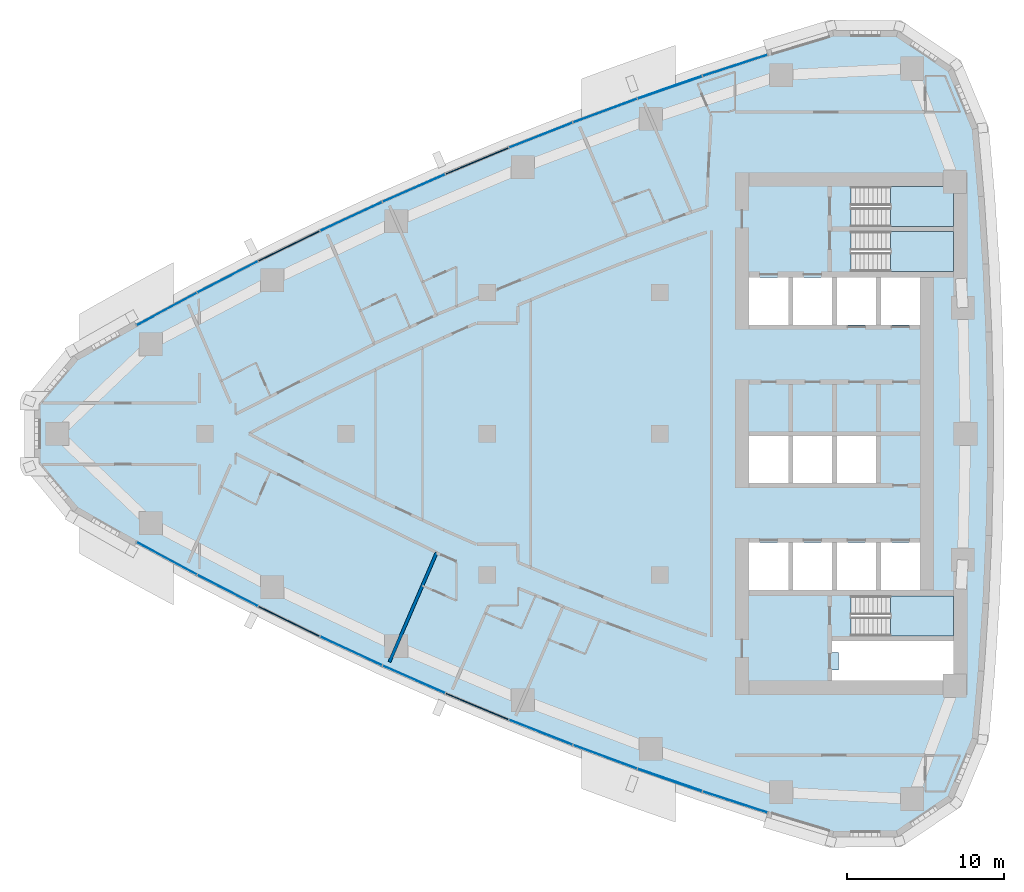
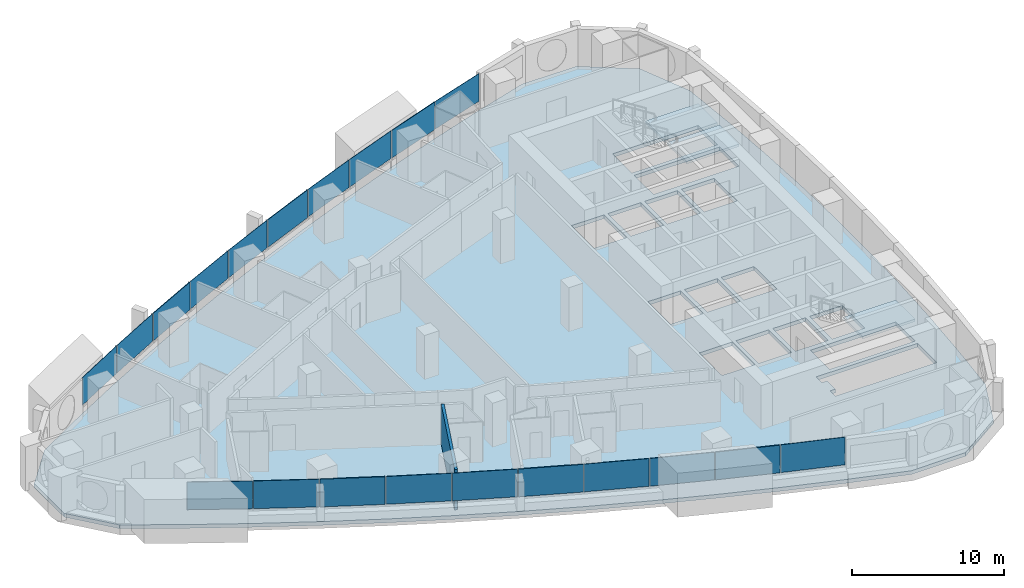
# One storey, part 7 of 16: 20 plates, 4 slabs, 1 wall, 1 opening, 13 elements without a shape of their own.
"""IFC4 building model written with IfcOpenShell, lengths in metres."""

from ifc_helpers import new_model, si_unit, direction, frame, frame_2d, origin, origin_2d, place, context, subcontext, project, spatial, polyline, rectangle, outline, extrude, material, layer, layer_set, type_object, element, aggregate, save


model = new_model("IFC4")

# Units and contexts
model_context = context("Model", 3, precision=1e-05, world=origin(), true_north=direction((0.0, 1.0)))
body_context = subcontext(model_context, "Body", "Model", "MODEL_VIEW")
ifc_project = project(units=[si_unit("LENGTHUNIT", "METRE"), si_unit("AREAUNIT", "SQUARE_METRE"), si_unit("VOLUMEUNIT", "CUBIC_METRE"), si_unit("PLANEANGLEUNIT", "RADIAN"), si_unit("MASSUNIT", "GRAM", prefix="KILO")], contexts=[model_context])

# Site, building, storey
site_placement = place(None, origin())
site = spatial("IfcSite", under=ifc_project, at=site_placement, CompositionType="ELEMENT")
building_placement = place(site_placement, origin())
building = spatial("IfcBuilding", under=site, at=building_placement, Name="Ostrand Prow Hotel Tower", CompositionType="ELEMENT")
storey_placement = place(building_placement, frame((0.0, 0.0, 147.949951171875)))
storey = spatial("IfcBuildingStorey", under=building, at=storey_placement, Name="L36", CompositionType="ELEMENT", Elevation=147.949951171875)

# Curtain wall, plates
ifc_material_1 = material(Name="Insulated glass in bronze anodised frame", Category="glass")
ifc_layer_1 = layer(ifc_material_1, 0.199951171875)
ifc_layer_set_1 = layer_set([ifc_layer_1], Name="Insulated glass in bronze anodised frame")
curtain_wall_type = type_object("IfcCurtainWallType", Name="Strip curtain wall, fritted glass over bronze spandrel", PredefinedType="NOTDEFINED", material=ifc_layer_set_1)
curtain_wall_1_placement = place(storey_placement, origin())
curtain_wall_1 = element("IfcCurtainWall", 1, at=curtain_wall_1_placement, inside=storey, type_object=curtain_wall_type, Name="CW1 run CWS1", PredefinedType="NOTDEFINED")
ifc_material_2 = material(Name="Ceramic-fritted glass", Category="glass")
ifc_layer_2 = layer(ifc_material_2, 0.031982421875)
ifc_layer_set_2 = layer_set([ifc_layer_2], Name="Ceramic-fritted glass")
plate_type_1 = type_object("IfcPlateType", Name="Dot-fritted ceramic glass unit 32 mm", PredefinedType="CURTAIN_PANEL", material=ifc_layer_set_2)
plate_1_placement = place(storey_placement, frame((13.572509765625, -7.951904296875, 1.02001953125), z_axis=(0.0, 0.0, 1.0), x_axis=(0.879773060847, -0.475393901316, 0.0)))
plate_1 = element("IfcPlate", 2, at=plate_1_placement, type_object=plate_type_1, Name="CW1 PN-D panel 1.2", PredefinedType="CURTAIN_PANEL", context=body_context, shape_type="SweptSolid", body=[
    extrude(rectangle(XDim=4.326171875, YDim=0.031982421875, at=origin_2d()), origin(), (0.0, 0.0, 1.0), 2.22998046875),
])
plate_2_placement = place(storey_placement, frame((17.45166015625, -9.998046875, 1.02001953125), z_axis=(0.0, 0.0, 1.0), x_axis=(0.889148164146, -0.457619429434, 0.0)))
plate_2 = element("IfcPlate", 3, at=plate_2_placement, type_object=plate_type_1, Name="CW1 PN-D panel 2.2", PredefinedType="CURTAIN_PANEL", context=body_context, shape_type="SweptSolid", body=[
    extrude(rectangle(XDim=4.326171875, YDim=0.031982421875, at=origin_2d()), origin(), (0.0, 0.0, 1.0), 2.22998046875),
])
aggregate(curtain_wall_1, [plate_1, plate_2])

# Curtain wall, plate
curtain_wall_2_placement = place(storey_placement, origin())
curtain_wall_2 = element("IfcCurtainWall", 4, at=curtain_wall_2_placement, inside=storey, type_object=curtain_wall_type, Name="CW1 run CWS2", PredefinedType="NOTDEFINED")
plate_3_placement = place(storey_placement, frame((25.329833984375, -13.8544921875, 1.02001953125), z_axis=(0.0, 0.0, 1.0), x_axis=(0.906818286337, -0.421521761673, 0.0)))
plate_3 = element("IfcPlate", 5, at=plate_3_placement, type_object=plate_type_1, Name="CW1 PN-D panel 2.2", PredefinedType="CURTAIN_PANEL", context=body_context, shape_type="SweptSolid", body=[
    extrude(rectangle(XDim=4.326171875, YDim=0.031982421875, at=origin_2d()), origin(), (0.0, 0.0, 1.0), 2.22998046875),
])

curtain_wall_3_placement = place(storey_placement, origin())
curtain_wall_3 = element("IfcCurtainWall", 6, at=curtain_wall_3_placement, inside=storey, type_object=curtain_wall_type, Name="CW1 run CWS3", PredefinedType="NOTDEFINED")
plate_4_placement = place(storey_placement, frame((29.3251953125, -15.6630859375, 1.02001953125), z_axis=(0.0, 0.0, 1.0), x_axis=(0.915106105993, -0.403213113347, 0.0)))
plate_4 = element("IfcPlate", 7, at=plate_4_placement, type_object=plate_type_1, Name="CW1 PN-D panel 1.2", PredefinedType="CURTAIN_PANEL", context=body_context, shape_type="SweptSolid", body=[
    extrude(rectangle(XDim=4.326171875, YDim=0.031982421875, at=origin_2d()), origin(), (0.0, 0.0, 1.0), 2.22998046875),
])

# Curtain wall, plates
curtain_wall_4_placement = place(storey_placement, origin())
curtain_wall_4 = element("IfcCurtainWall", 8, at=curtain_wall_4_placement, inside=storey, type_object=curtain_wall_type, Name="CW1 run CWS4", PredefinedType="NOTDEFINED")
plate_5_placement = place(storey_placement, frame((37.42138671875, -19.037841796875, 1.02001953125), z_axis=(0.0, 0.0, 1.0), x_axis=(0.930569089059, -0.366116334636, 0.0)))
plate_5 = element("IfcPlate", 9, at=plate_5_placement, type_object=plate_type_1, Name="CW1 PN-D panel 1.2", PredefinedType="CURTAIN_PANEL", context=body_context, shape_type="SweptSolid", body=[
    extrude(rectangle(XDim=4.326171875, YDim=0.031982421875, at=origin_2d()), origin(), (0.0, 0.0, 1.0), 2.22998046875),
])
plate_6_placement = place(storey_placement, frame((41.518798828125, -20.6025390625, 1.02001953125), z_axis=(0.0, 0.0, 1.0), x_axis=(0.937738678558, -0.347341576459, 0.0)))
plate_6 = element("IfcPlate", 10, at=plate_6_placement, type_object=plate_type_1, Name="CW1 PN-D panel 2.2", PredefinedType="CURTAIN_PANEL", context=body_context, shape_type="SweptSolid", body=[
    extrude(rectangle(XDim=4.326171875, YDim=0.031982421875, at=origin_2d()), origin(), (0.0, 0.0, 1.0), 2.22998046875),
])
aggregate(curtain_wall_4, [plate_5, plate_6])

# Curtain wall, plate
curtain_wall_5_placement = place(storey_placement, origin())
curtain_wall_5 = element("IfcCurtainWall", 11, at=curtain_wall_5_placement, inside=storey, type_object=curtain_wall_type, Name="CW1 run CWS5", PredefinedType="NOTDEFINED")
plate_7_placement = place(storey_placement, frame((49.803466796875, -23.483154296875, 1.02001953125), z_axis=(0.0, 0.0, 1.0), x_axis=(0.950938332153, -0.309380491373, 0.0)))
plate_7 = element("IfcPlate", 12, at=plate_7_placement, type_object=plate_type_1, Name="CW1 PN-D panel 2.2", PredefinedType="CURTAIN_PANEL", context=body_context, shape_type="SweptSolid", body=[
    extrude(rectangle(XDim=4.326171875, YDim=0.031982421875, at=origin_2d()), origin(), (0.0, 0.0, 1.0), 2.22998046875),
])

curtain_wall_6_placement = place(storey_placement, origin())
curtain_wall_6 = element("IfcCurtainWall", 13, at=curtain_wall_6_placement, inside=storey, type_object=curtain_wall_type, Name="CW1 run CWN1", PredefinedType="NOTDEFINED")
plate_8_placement = place(storey_placement, frame((49.803466796875, 23.483154296875, 1.02001953125), z_axis=(0.0, 0.0, 1.0), x_axis=(-0.950938332153, -0.309380491373, 0.0)))
plate_8 = element("IfcPlate", 14, at=plate_8_placement, type_object=plate_type_1, Name="CW1 PN-D panel 1.2", PredefinedType="CURTAIN_PANEL", context=body_context, shape_type="SweptSolid", body=[
    extrude(rectangle(XDim=4.326171875, YDim=0.031982421875, at=origin_2d()), origin(), (0.0, 0.0, 1.0), 2.22998046875),
])

# Curtain wall, plates
curtain_wall_7_placement = place(storey_placement, origin())
curtain_wall_7 = element("IfcCurtainWall", 15, at=curtain_wall_7_placement, inside=storey, type_object=curtain_wall_type, Name="CW1 run CWN2", PredefinedType="NOTDEFINED")
plate_9_placement = place(storey_placement, frame((41.518798828125, 20.6025390625, 1.02001953125), z_axis=(0.0, 0.0, 1.0), x_axis=(-0.937738678558, -0.347341576459, 0.0)))
plate_9 = element("IfcPlate", 16, at=plate_9_placement, type_object=plate_type_1, Name="CW1 PN-D panel 1.2", PredefinedType="CURTAIN_PANEL", context=body_context, shape_type="SweptSolid", body=[
    extrude(rectangle(XDim=4.326171875, YDim=0.031982421875, at=origin_2d()), origin(), (0.0, 0.0, 1.0), 2.22998046875),
])
plate_10_placement = place(storey_placement, frame((37.42138671875, 19.037841796875, 1.02001953125), z_axis=(0.0, 0.0, 1.0), x_axis=(-0.930569089059, -0.366116334636, 0.0)))
plate_10 = element("IfcPlate", 17, at=plate_10_placement, type_object=plate_type_1, Name="CW1 PN-D panel 2.2", PredefinedType="CURTAIN_PANEL", context=body_context, shape_type="SweptSolid", body=[
    extrude(rectangle(XDim=4.326171875, YDim=0.031982421875, at=origin_2d()), origin(), (0.0, 0.0, 1.0), 2.22998046875),
])
aggregate(curtain_wall_7, [plate_9, plate_10])

# Curtain wall, plate
curtain_wall_8_placement = place(storey_placement, origin())
curtain_wall_8 = element("IfcCurtainWall", 18, at=curtain_wall_8_placement, inside=storey, type_object=curtain_wall_type, Name="CW1 run CWN3", PredefinedType="NOTDEFINED")
plate_11_placement = place(storey_placement, frame((29.3251953125, 15.6630859375, 1.02001953125), z_axis=(0.0, 0.0, 1.0), x_axis=(-0.915106105993, -0.403213113347, 0.0)))
plate_11 = element("IfcPlate", 19, at=plate_11_placement, type_object=plate_type_1, Name="CW1 PN-D panel 2.2", PredefinedType="CURTAIN_PANEL", context=body_context, shape_type="SweptSolid", body=[
    extrude(rectangle(XDim=4.326171875, YDim=0.031982421875, at=origin_2d()), origin(), (0.0, 0.0, 1.0), 2.22998046875),
])

curtain_wall_9_placement = place(storey_placement, origin())
curtain_wall_9 = element("IfcCurtainWall", 20, at=curtain_wall_9_placement, inside=storey, type_object=curtain_wall_type, Name="CW1 run CWN4", PredefinedType="NOTDEFINED")
plate_12_placement = place(storey_placement, frame((25.329833984375, 13.8544921875, 1.02001953125), z_axis=(0.0, 0.0, 1.0), x_axis=(-0.906818286337, -0.421521761673, 0.0)))
plate_12 = element("IfcPlate", 21, at=plate_12_placement, type_object=plate_type_1, Name="CW1 PN-D panel 1.2", PredefinedType="CURTAIN_PANEL", context=body_context, shape_type="SweptSolid", body=[
    extrude(rectangle(XDim=4.326171875, YDim=0.031982421875, at=origin_2d()), origin(), (0.0, 0.0, 1.0), 2.22998046875),
])

# Curtain wall, plates
curtain_wall_10_placement = place(storey_placement, origin())
curtain_wall_10 = element("IfcCurtainWall", 22, at=curtain_wall_10_placement, inside=storey, type_object=curtain_wall_type, Name="CW1 run CWN5", PredefinedType="NOTDEFINED")
plate_13_placement = place(storey_placement, frame((17.45166015625, 9.998046875, 1.02001953125), z_axis=(0.0, 0.0, 1.0), x_axis=(-0.889148164146, -0.457619429434, 0.0)))
plate_13 = element("IfcPlate", 23, at=plate_13_placement, type_object=plate_type_1, Name="CW1 PN-D panel 1.2", PredefinedType="CURTAIN_PANEL", context=body_context, shape_type="SweptSolid", body=[
    extrude(rectangle(XDim=4.326171875, YDim=0.031982421875, at=origin_2d()), origin(), (0.0, 0.0, 1.0), 2.22998046875),
])
plate_14_placement = place(storey_placement, frame((13.572509765625, 7.951904296875, 1.02001953125), z_axis=(0.0, 0.0, 1.0), x_axis=(-0.879773060847, -0.475393901316, 0.0)))
plate_14 = element("IfcPlate", 24, at=plate_14_placement, type_object=plate_type_1, Name="CW1 PN-D panel 2.2", PredefinedType="CURTAIN_PANEL", context=body_context, shape_type="SweptSolid", body=[
    extrude(rectangle(XDim=4.326171875, YDim=0.031982421875, at=origin_2d()), origin(), (0.0, 0.0, 1.0), 2.22998046875),
])
aggregate(curtain_wall_10, [plate_13, plate_14])

# Plate
ifc_material_3 = material(Name="Fritted glass in bronze vent frame", Category="glass")
ifc_layer_3 = layer(ifc_material_3, 0.06005859375)
ifc_layer_set_3 = layer_set([ifc_layer_3], Name="Fritted glass in bronze vent frame")
plate_type_2 = type_object("IfcPlateType", Name="Operable vent panel 60 mm", PredefinedType="CURTAIN_PANEL", material=ifc_layer_set_3)
plate_15_placement = place(storey_placement, frame((21.371337890625, -11.9658203125, 1.02001953125), z_axis=(0.0, 0.0, 1.0), x_axis=(0.898164975061, -0.439658592061, 0.0)))
plate_15 = element("IfcPlate", 25, at=plate_15_placement, type_object=plate_type_2, Name="CW1 PN-O panel 1.2", PredefinedType="CURTAIN_PANEL", context=body_context, shape_type="SweptSolid", body=[
    extrude(rectangle(XDim=4.326171875, YDim=0.06005859375, at=origin_2d()), origin(), (0.0, 0.0, 1.0), 2.22998046875),
])

aggregate(curtain_wall_2, [plate_15, plate_3])

plate_16_placement = place(storey_placement, frame((33.3564453125, -17.39111328125, 1.02001953125), z_axis=(0.0, 0.0, 1.0), x_axis=(0.92302364777, -0.384743220418, 0.0)))
plate_16 = element("IfcPlate", 26, at=plate_16_placement, type_object=plate_type_2, Name="CW1 PN-O panel 2.2", PredefinedType="CURTAIN_PANEL", context=body_context, shape_type="SweptSolid", body=[
    extrude(rectangle(XDim=4.326171875, YDim=0.06005859375, at=origin_2d()), origin(), (0.0, 0.0, 1.0), 2.22998046875),
])

aggregate(curtain_wall_3, [plate_4, plate_16])

plate_17_placement = place(storey_placement, frame((45.646484375, -22.08447265625, 1.02001953125), z_axis=(0.0, 0.0, 1.0), x_axis=(0.944528947293, -0.328428177424, 0.0)))
plate_17 = element("IfcPlate", 27, at=plate_17_placement, type_object=plate_type_2, Name="CW1 PN-O panel 1.2", PredefinedType="CURTAIN_PANEL", context=body_context, shape_type="SweptSolid", body=[
    extrude(rectangle(XDim=4.326171875, YDim=0.06005859375, at=origin_2d()), origin(), (0.0, 0.0, 1.0), 2.22998046875),
])

aggregate(curtain_wall_5, [plate_17, plate_7])

plate_18_placement = place(storey_placement, frame((45.646484375, 22.08447265625, 1.02001953125), z_axis=(0.0, 0.0, 1.0), x_axis=(-0.944528947293, -0.328428177424, 0.0)))
plate_18 = element("IfcPlate", 28, at=plate_18_placement, type_object=plate_type_2, Name="CW1 PN-O panel 2.2", PredefinedType="CURTAIN_PANEL", context=body_context, shape_type="SweptSolid", body=[
    extrude(rectangle(XDim=4.326171875, YDim=0.06005859375, at=origin_2d()), origin(), (0.0, 0.0, 1.0), 2.22998046875),
])

aggregate(curtain_wall_6, [plate_8, plate_18])

plate_19_placement = place(storey_placement, frame((33.3564453125, 17.39111328125, 1.02001953125), z_axis=(0.0, 0.0, 1.0), x_axis=(-0.92302364777, -0.384743220418, 0.0)))
plate_19 = element("IfcPlate", 29, at=plate_19_placement, type_object=plate_type_2, Name="CW1 PN-O panel 1.2", PredefinedType="CURTAIN_PANEL", context=body_context, shape_type="SweptSolid", body=[
    extrude(rectangle(XDim=4.326171875, YDim=0.06005859375, at=origin_2d()), origin(), (0.0, 0.0, 1.0), 2.22998046875),
])

aggregate(curtain_wall_8, [plate_19, plate_11])

plate_20_placement = place(storey_placement, frame((21.371337890625, 11.9658203125, 1.02001953125), z_axis=(0.0, 0.0, 1.0), x_axis=(-0.898164975061, -0.439658592061, 0.0)))
plate_20 = element("IfcPlate", 30, at=plate_20_placement, type_object=plate_type_2, Name="CW1 PN-O panel 2.2", PredefinedType="CURTAIN_PANEL", context=body_context, shape_type="SweptSolid", body=[
    extrude(rectangle(XDim=4.326171875, YDim=0.06005859375, at=origin_2d()), origin(), (0.0, 0.0, 1.0), 2.22998046875),
])

aggregate(curtain_wall_9, [plate_12, plate_20])

# Slab, opening
ifc_material_4 = material(Name="Concrete C40/50", Category="concrete")
ifc_layer_4 = layer(ifc_material_4, 0.300048828125)
ifc_layer_set_4 = layer_set([ifc_layer_4], Name="Concrete C40/50")
slab_type_1 = type_object("IfcSlabType", Name="PT flat plate 300 C40/50", PredefinedType="FLOOR", material=ifc_layer_set_4)
slab_1_placement = place(storey_placement, frame((0.0, 0.0, -0.300048828125)))
slab_1 = element("IfcSlab", 31, at=slab_1_placement, inside=storey, type_object=slab_type_1, Name="Floor slab L36-1", PredefinedType="FLOOR", context=body_context, shape_type="SweptSolid", body=[
    extrude(outline(polyline([(7.658203125, 4.952880859375), (11.51611328125, 7.138916015625), (15.37939453125, 9.2265625), (19.283935546875, 11.236083984375), (23.228271484375, 13.166748046875), (27.210205078125, 15.017822265625), (31.22900390625, 16.788330078125), (35.2822265625, 18.47802734375), (39.36865234375, 20.085693359375), (43.486572265625, 21.611083984375), (47.63427734375, 23.05322265625), (51.810302734375, 24.411865234375), (56.046630859375, 25.696533203125), (60.193115234375, 25.6640625), (63.664306640625, 23.328125), (65.256103515625, 19.498779296875), (65.650390625, 15.148681640625), (65.944091796875, 10.825927734375), (66.139892578125, 6.497802734375), (66.23779296875, 2.166259765625), (66.23779296875, -2.166259765625), (66.139892578125, -6.497802734375), (65.944091796875, -10.825927734375), (65.650390625, -15.148681640625), (65.256103515625, -19.498779296875), (63.664306640625, -23.328125), (60.193115234375, -25.6640625), (56.046630859375, -25.696533203125), (51.810302734375, -24.411865234375), (47.63427734375, -23.05322265625), (43.486572265625, -21.611083984375), (39.36865234375, -20.085693359375), (35.2822265625, -18.47802734375), (31.22900390625, -16.788330078125), (27.210205078125, -15.017822265625), (23.228271484375, -13.166748046875), (19.283935546875, -11.236083984375), (15.37939453125, -9.2265625), (11.51611328125, -7.138916015625), (7.658203125, -4.952880859375), (5.16064453125, -1.968505859375), (5.16064453125, 1.968505859375), (7.658203125, 4.952880859375)]), holes=[polyline([(50.699951171875, 6.949951171875), (53.199951171875, 6.949951171875), (53.199951171875, 9.949951171875), (50.699951171875, 9.949951171875), (50.699951171875, 6.949951171875)]), polyline([(53.5, 6.949951171875), (56.0, 6.949951171875), (56.0, 9.949951171875), (53.5, 9.949951171875), (53.5, 6.949951171875)]), polyline([(56.300048828125, 6.949951171875), (58.800048828125, 6.949951171875), (58.800048828125, 9.949951171875), (56.300048828125, 9.949951171875), (56.300048828125, 6.949951171875)]), polyline([(59.10009765625, 6.949951171875), (61.60009765625, 6.949951171875), (61.60009765625, 9.949951171875), (59.10009765625, 9.949951171875), (59.10009765625, 6.949951171875)]), polyline([(50.699951171875, -3.14990234375), (53.199951171875, -3.14990234375), (53.199951171875, -0.14990234375), (50.699951171875, -0.14990234375), (50.699951171875, -3.14990234375)]), polyline([(53.5, -3.14990234375), (56.0, -3.14990234375), (56.0, -0.14990234375), (53.5, -0.14990234375), (53.5, -3.14990234375)]), polyline([(56.300048828125, -3.14990234375), (58.800048828125, -3.14990234375), (58.800048828125, -0.14990234375), (56.300048828125, -0.14990234375), (56.300048828125, -3.14990234375)]), polyline([(50.699951171875, -9.949951171875), (53.199951171875, -9.949951171875), (53.199951171875, -6.949951171875), (50.699951171875, -6.949951171875), (50.699951171875, -9.949951171875)]), polyline([(53.5, -9.949951171875), (56.0, -9.949951171875), (56.0, -6.949951171875), (53.5, -6.949951171875), (53.5, -9.949951171875)]), polyline([(56.300048828125, -9.949951171875), (58.800048828125, -9.949951171875), (58.800048828125, -6.949951171875), (56.300048828125, -6.949951171875), (56.300048828125, -9.949951171875)]), polyline([(59.10009765625, -9.949951171875), (61.60009765625, -9.949951171875), (61.60009765625, -6.949951171875), (59.10009765625, -6.949951171875), (59.10009765625, -9.949951171875)]), polyline([(57.200927734375, 10.35107421875), (57.200927734375, 12.89892578125), (63.718994140625, 12.89892578125), (63.718994140625, 10.35107421875), (57.200927734375, 10.35107421875)]), polyline([(57.200927734375, 13.200927734375), (57.200927734375, 15.7490234375), (63.718994140625, 15.7490234375), (63.718994140625, 13.200927734375), (57.200927734375, 13.200927734375)]), polyline([(57.200927734375, -12.89892578125), (57.200927734375, -10.35107421875), (63.718994140625, -10.35107421875), (63.718994140625, -12.89892578125), (57.200927734375, -12.89892578125)]), polyline([(56.0, -13.199951171875), (63.719970703125, -13.199951171875), (63.719970703125, -15.75), (56.0, -15.75), (56.0, -15.050048828125), (56.39990234375, -15.050048828125), (56.39990234375, -13.949951171875), (56.0, -13.949951171875), (56.0, -13.199951171875)])]), origin(), (0.0, 0.0, 1.0), 0.300048828125),
])
opening_placement = place(slab_1_placement, origin())
element("IfcOpeningElement", 32, at=opening_placement, cuts=slab_1, Name="Shaft opening 1", PredefinedType="OPENING", context=body_context, shape_type="SweptSolid", body=[
    extrude(outline(polyline([(56.0, -13.199951171875), (63.719970703125, -13.199951171875), (63.719970703125, -15.75), (56.0, -15.75), (56.0, -15.050048828125), (56.39990234375, -15.050048828125), (56.39990234375, -13.949951171875), (56.0, -13.949951171875), (56.0, -13.199951171875)])), origin(), (0.0, 0.0, 1.0), 0.300048828125),
])

# Stair, slab
ifc_material_5 = material(Name="Concrete C40/50", Category="concrete")
stair_type = type_object("IfcStairType", Name="Exit stair 1200 upper zone", PredefinedType="HALF_TURN_STAIR", material=ifc_material_5)
stair_1_placement = place(storey_placement, origin())
stair_1 = element("IfcStair", 33, at=stair_1_placement, inside=storey, type_object=stair_type, Name="L36 ST1C", PredefinedType="HALF_TURN_STAIR")
ifc_material_6 = material(Name="Concrete C40/50", Category="concrete")
ifc_layer_5 = layer(ifc_material_6, 0.199951171875)
ifc_layer_set_5 = layer_set([ifc_layer_5], Name="Concrete C40/50")
slab_type_2 = type_object("IfcSlabType", Name="Stair landing 200 concrete", PredefinedType="LANDING", material=ifc_layer_set_5)
slab_2_placement = place(storey_placement, frame((0.0, 0.0, 1.574951171875)))
slab_2 = element("IfcSlab", 34, at=slab_2_placement, type_object=slab_type_2, Name="ST1C landing 1", PredefinedType="LANDING", context=body_context, shape_type="SweptSolid", body=[
    extrude(outline(polyline([(59.719970703125, 10.35009765625), (63.719970703125, 10.35009765625), (63.719970703125, 12.89990234375), (59.719970703125, 12.89990234375), (59.719970703125, 10.35009765625)])), origin(), (0.0, 0.0, 1.0), 0.2001953125),
])
aggregate(stair_1, [slab_2])

stair_2_placement = place(storey_placement, origin())
stair_2 = element("IfcStair", 35, at=stair_2_placement, inside=storey, type_object=stair_type, Name="L36 ST3C", PredefinedType="HALF_TURN_STAIR")
slab_3_placement = place(storey_placement, frame((0.0, 0.0, 1.574951171875)))
slab_3 = element("IfcSlab", 36, at=slab_3_placement, type_object=slab_type_2, Name="ST3C landing 1", PredefinedType="LANDING", context=body_context, shape_type="SweptSolid", body=[
    extrude(outline(polyline([(59.719970703125, 13.199951171875), (63.719970703125, 13.199951171875), (63.719970703125, 15.75), (59.719970703125, 15.75), (59.719970703125, 13.199951171875)])), origin(), (0.0, 0.0, 1.0), 0.2001953125),
])
aggregate(stair_2, [slab_3])

stair_3_placement = place(storey_placement, origin())
stair_3 = element("IfcStair", 37, at=stair_3_placement, inside=storey, type_object=stair_type, Name="L36 ST2C", PredefinedType="HALF_TURN_STAIR")
slab_4_placement = place(storey_placement, frame((0.0, 0.0, 1.574951171875)))
slab_4 = element("IfcSlab", 38, at=slab_4_placement, type_object=slab_type_2, Name="ST2C landing 1", PredefinedType="LANDING", context=body_context, shape_type="SweptSolid", body=[
    extrude(outline(polyline([(59.719970703125, -12.89990234375), (63.719970703125, -12.89990234375), (63.719970703125, -10.35009765625), (59.719970703125, -10.35009765625), (59.719970703125, -12.89990234375)])), origin(), (0.0, 0.0, 1.0), 0.2001953125),
])
aggregate(stair_3, [slab_4])

# Wall
ifc_material_7 = material(Name="Plasterboard partition")
ifc_layer_6 = layer(ifc_material_7, 0.199951171875)
ifc_layer_set_6 = layer_set([ifc_layer_6], Name="Plasterboard partition")
wall_type = type_object("IfcWallType", Name="Partition 200 key partition", PredefinedType="PARTITIONING", material=ifc_layer_set_6)
wall_placement = place(storey_placement, frame((27.770751953125, -14.554443359375, 0.0), z_axis=(0.0, 0.0, 1.0), x_axis=(0.396004020147, 0.918248776763, 0.0)))
element("IfcWall", 39, at=wall_placement, inside=storey, type_object=wall_type, Name="KEY PARTITION", PredefinedType="PARTITIONING", context=body_context, shape_type="SweptSolid", body=[
    extrude(rectangle(XDim=7.600341796875, YDim=0.199951171875, at=frame_2d((3.80029296875, 0.0))), origin(), (0.0, 0.0, 1.0), 3.25),
])

save(model, "model.ifc")
